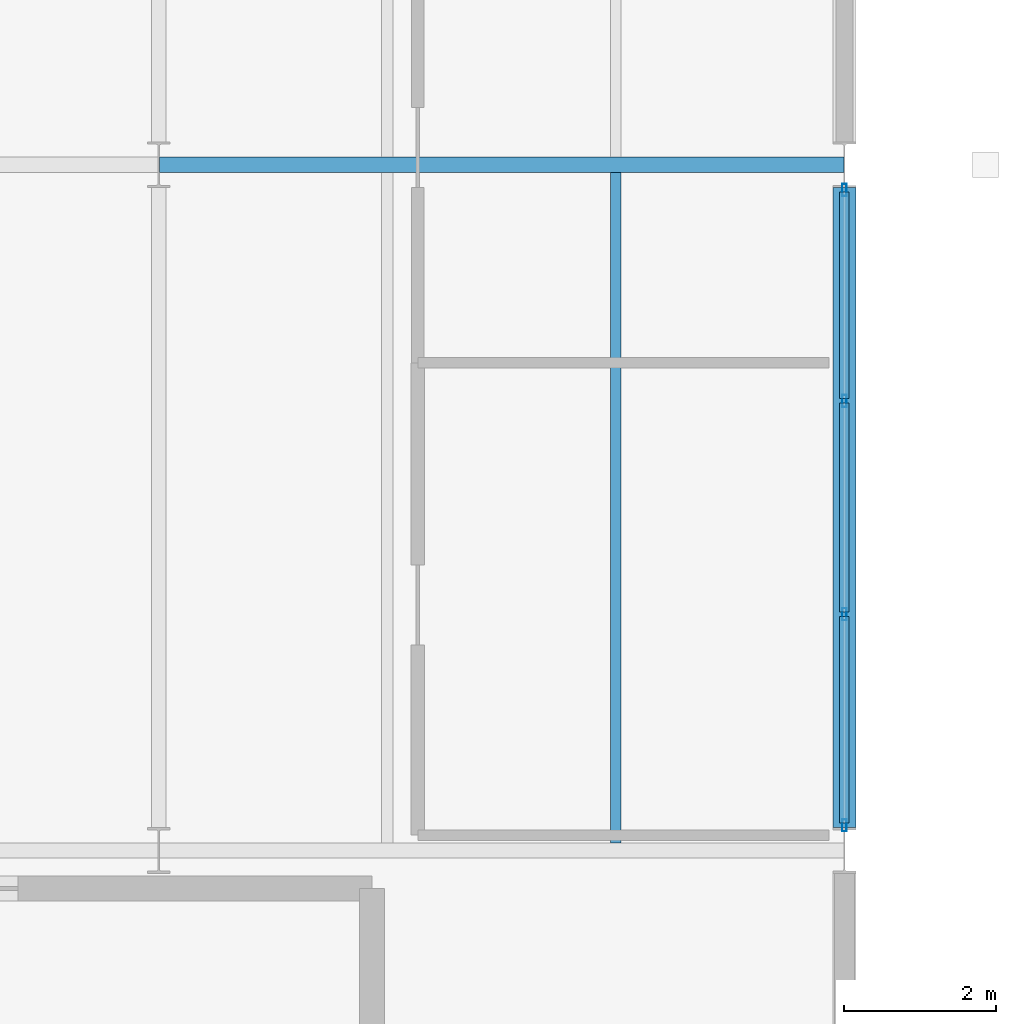
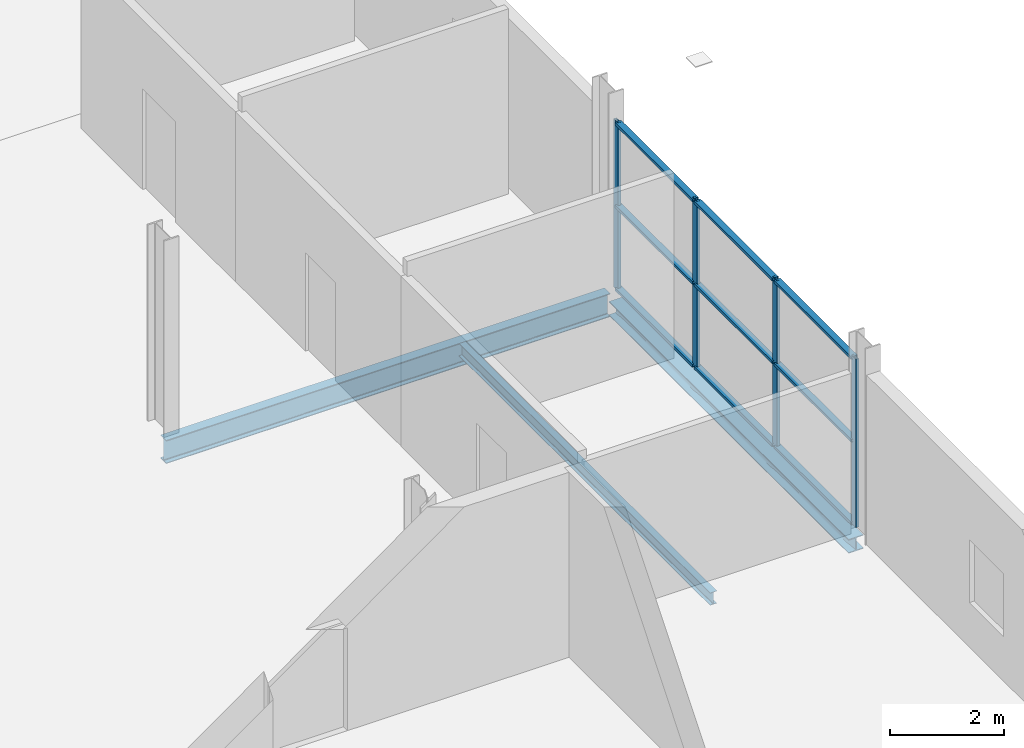
# One storey, part 23 of 44: 13 members, 3 beams, 1 element without a shape of its own.
"""IFC4 building model written with IfcOpenShell, lengths in metres."""

from ifc_helpers import new_model, si_unit, direction, frame, origin, origin_2d, place, context, subcontext, project, spatial, hollow_rectangle, i_section, extrude, material, layer, layer_set, material_profile, profile_set, type_object, element, aggregate, save


model = new_model("IFC4")

# Units and contexts
model_context = context("Model", 3, precision=1e-05, world=origin(), true_north=direction((0.0, 1.0)))
body_context = subcontext(model_context, "Body", "Model", "MODEL_VIEW")
ifc_project = project(units=[si_unit("LENGTHUNIT", "METRE"), si_unit("AREAUNIT", "SQUARE_METRE"), si_unit("VOLUMEUNIT", "CUBIC_METRE"), si_unit("PLANEANGLEUNIT", "RADIAN"), si_unit("MASSUNIT", "GRAM", prefix="KILO")], contexts=[model_context])

# Site, building, storey
site_placement = place(None, origin())
site = spatial("IfcSite", under=ifc_project, at=site_placement, CompositionType="ELEMENT")
building_placement = place(site_placement, origin())
building = spatial("IfcBuilding", under=site, at=building_placement, Name="Deido Ridge Mobility Hub", CompositionType="ELEMENT")
storey_placement = place(building_placement, frame((0.0, 0.0, 25.199951171875)))
storey = spatial("IfcBuildingStorey", under=building, at=storey_placement, Name="L06", CompositionType="ELEMENT", Elevation=25.199951171875)

# Beams
ifc_material_1 = material(Name="Steel S355J2 EN 10025-2", Category="steel")
ifc_material_profile_1 = material_profile(ifc_material_1, i_section(OverallWidth=0.199951171875, OverallDepth=0.5, WebThickness=0.01025390625, FlangeThickness=0.01611328125, FilletRadius=0.02099609375, at=origin_2d()), Name="IPE 500")
ifc_profile_set_1 = profile_set([ifc_material_profile_1], Name="Steel S355J2 EN 10025-2")
beam_type_1 = type_object("IfcBeamType", Name="BM-IPE500", PredefinedType="BEAM", material=ifc_profile_set_1)
beam_1_placement = place(storey_placement, frame((171.0078125, 27.0, -0.489990234375), z_axis=(1.0, 0.0, 0.0), x_axis=(0.0, 1.0, 0.0)))
element("IfcBeam", 1, at=beam_1_placement, inside=storey, type_object=beam_type_1, Name="Floor beam B3", PredefinedType="BEAM", context=body_context, shape_type="SweptSolid", body=[
    extrude(i_section(OverallWidth=0.199951171875, OverallDepth=0.5, WebThickness=0.01025390625, FlangeThickness=0.01611328125, FilletRadius=0.02099609375, at=origin_2d()), origin(), (0.0, 0.0, 1.0), 8.984375),
])
ifc_material_profile_2 = material_profile(ifc_material_1, i_section(OverallWidth=0.135009765625, OverallDepth=0.27001953125, WebThickness=0.006591796875, FlangeThickness=0.01025390625, FilletRadius=0.014892578125, at=origin_2d()), Name="IPE 270")
ifc_profile_set_2 = profile_set([ifc_material_profile_2], Name="Steel S355J2 EN 10025-2")
beam_type_2 = type_object("IfcBeamType", Name="JST-IPE270", PredefinedType="JOIST", material=ifc_profile_set_2)
beam_2_placement = place(storey_placement, frame((177.0, 18.10009765625, -0.375), z_axis=(0.0, 1.0, 0.0), x_axis=(-1.0, 0.0, 0.0)))
element("IfcBeam", 2, at=beam_2_placement, inside=storey, type_object=beam_type_2, Name="Composite joist J4", PredefinedType="JOIST", context=body_context, shape_type="SweptSolid", body=[
    extrude(i_section(OverallWidth=0.135009765625, OverallDepth=0.27001953125, WebThickness=0.006591796875, FlangeThickness=0.01025390625, FilletRadius=0.014892578125, at=origin_2d()), origin(), (0.0, 0.0, 1.0), 8.7998046875),
])

# Curtain wall, members
ifc_material_2 = material(Name="Anodised aluminium EN AW-6063 T6", Category="aluminium")
ifc_layer = layer(ifc_material_2, 0.195068359375, Name="Anodised aluminium EN AW-6063 T6")
ifc_layer_set = layer_set([ifc_layer], Name="Anodised aluminium EN AW-6063 T6")
curtain_wall_type = type_object("IfcCurtainWallType", Name="CW-UF-3", PredefinedType="USERDEFINED", material=ifc_layer_set)
curtain_wall_placement = place(storey_placement, origin())
curtain_wall = element("IfcCurtainWall", 3, at=curtain_wall_placement, inside=storey, type_object=curtain_wall_type, Name="Unitised curtain wall CW3", ObjectType="UNITISED FACADE", PredefinedType="USERDEFINED")
ifc_material_profile_3 = material_profile(ifc_material_2, hollow_rectangle(XDim=0.06005859375, YDim=0.159912109375, WallThickness=0.00390625, at=origin_2d()), Name="RHS 60x160x4")
ifc_profile_set_3 = profile_set([ifc_material_profile_3], Name="Anodised aluminium EN AW-6063 T6")
member_type_1 = type_object("IfcMemberType", Name="MEM-MUL-60X160", PredefinedType="MULLION", material=ifc_profile_set_3)
member_1_placement = place(storey_placement, frame((180.0, 18.330078125, 0.0), z_axis=(0.0, 0.0, 1.0), x_axis=(-1.0, 0.0, 0.0)))
member_1 = element("IfcMember", 4, at=member_1_placement, type_object=member_type_1, Name="CW3 mullion 1", PredefinedType="MULLION", context=body_context, shape_type="SweptSolid", body=[
    extrude(hollow_rectangle(XDim=0.06005859375, YDim=0.159912109375, WallThickness=0.00390625, at=origin_2d()), origin(), (0.0, 0.0, 1.0), 3.60009765625),
])
member_2_placement = place(storey_placement, frame((180.0, 21.10009765625, 0.0), z_axis=(0.0, 0.0, 1.0), x_axis=(-1.0, 0.0, 0.0)))
member_2 = element("IfcMember", 5, at=member_2_placement, type_object=member_type_1, Name="CW3 mullion 2", PredefinedType="MULLION", context=body_context, shape_type="SweptSolid", body=[
    extrude(hollow_rectangle(XDim=0.06005859375, YDim=0.159912109375, WallThickness=0.00390625, at=origin_2d()), origin(), (0.0, 0.0, 1.0), 3.60009765625),
])
member_3_placement = place(storey_placement, frame((180.0, 23.89990234375, 0.0), z_axis=(0.0, 0.0, 1.0), x_axis=(-1.0, 0.0, 0.0)))
member_3 = element("IfcMember", 6, at=member_3_placement, type_object=member_type_1, Name="CW3 mullion 3", PredefinedType="MULLION", context=body_context, shape_type="SweptSolid", body=[
    extrude(hollow_rectangle(XDim=0.06005859375, YDim=0.159912109375, WallThickness=0.00390625, at=origin_2d()), origin(), (0.0, 0.0, 1.0), 3.60009765625),
])
member_4_placement = place(storey_placement, frame((180.0, 26.669921875, 0.0), z_axis=(0.0, 0.0, 1.0), x_axis=(-1.0, 0.0, 0.0)))
member_4 = element("IfcMember", 7, at=member_4_placement, type_object=member_type_1, Name="CW3 mullion 4", PredefinedType="MULLION", context=body_context, shape_type="SweptSolid", body=[
    extrude(hollow_rectangle(XDim=0.06005859375, YDim=0.159912109375, WallThickness=0.00390625, at=origin_2d()), origin(), (0.0, 0.0, 1.0), 3.60009765625),
])
ifc_material_profile_4 = material_profile(ifc_material_2, hollow_rectangle(XDim=0.125, YDim=0.06005859375, WallThickness=0.00390625, at=origin_2d()), Name="RHS 125x60x4")
ifc_profile_set_4 = profile_set([ifc_material_profile_4], Name="Anodised aluminium EN AW-6063 T6")
member_type_2 = type_object("IfcMemberType", Name="MEM-TRN-125X60", PredefinedType="USERDEFINED", material=ifc_profile_set_4)
member_5_placement = place(storey_placement, frame((180.0, 18.360107421875, 0.030029296875), z_axis=(0.0, 1.0, 0.0), x_axis=(-1.0, 0.0, 0.0)))
member_5 = element("IfcMember", 8, at=member_5_placement, type_object=member_type_2, Name="CW3 transom 1.1", ObjectType="TRANSOM", PredefinedType="USERDEFINED", context=body_context, shape_type="SweptSolid", body=[
    extrude(hollow_rectangle(XDim=0.125, YDim=0.06005859375, WallThickness=0.00390625, at=origin_2d()), origin(), (0.0, 0.0, 1.0), 2.7099609375),
])
member_6_placement = place(storey_placement, frame((180.0, 18.360107421875, 1.800048828125), z_axis=(0.0, 1.0, 0.0), x_axis=(-1.0, 0.0, 0.0)))
member_6 = element("IfcMember", 9, at=member_6_placement, type_object=member_type_2, Name="CW3 transom 1.2", ObjectType="TRANSOM", PredefinedType="USERDEFINED", context=body_context, shape_type="SweptSolid", body=[
    extrude(hollow_rectangle(XDim=0.125, YDim=0.06005859375, WallThickness=0.00390625, at=origin_2d()), origin(), (0.0, 0.0, 1.0), 2.7099609375),
])
member_7_placement = place(storey_placement, frame((180.0, 18.360107421875, 3.570068359375), z_axis=(0.0, 1.0, 0.0), x_axis=(-1.0, 0.0, 0.0)))
member_7 = element("IfcMember", 10, at=member_7_placement, type_object=member_type_2, Name="CW3 transom 1.3", ObjectType="TRANSOM", PredefinedType="USERDEFINED", context=body_context, shape_type="SweptSolid", body=[
    extrude(hollow_rectangle(XDim=0.125, YDim=0.06005859375, WallThickness=0.00390625, at=origin_2d()), origin(), (0.0, 0.0, 1.0), 2.7099609375),
])
member_8_placement = place(storey_placement, frame((180.0, 21.1298828125, 0.030029296875), z_axis=(0.0, 1.0, 0.0), x_axis=(-1.0, 0.0, 0.0)))
member_8 = element("IfcMember", 11, at=member_8_placement, type_object=member_type_2, Name="CW3 transom 2.1", ObjectType="TRANSOM", PredefinedType="USERDEFINED", context=body_context, shape_type="SweptSolid", body=[
    extrude(hollow_rectangle(XDim=0.125, YDim=0.06005859375, WallThickness=0.00390625, at=origin_2d()), origin(), (0.0, 0.0, 1.0), 2.740234375),
])
member_9_placement = place(storey_placement, frame((180.0, 21.1298828125, 1.800048828125), z_axis=(0.0, 1.0, 0.0), x_axis=(-1.0, 0.0, 0.0)))
member_9 = element("IfcMember", 12, at=member_9_placement, type_object=member_type_2, Name="CW3 transom 2.2", ObjectType="TRANSOM", PredefinedType="USERDEFINED", context=body_context, shape_type="SweptSolid", body=[
    extrude(hollow_rectangle(XDim=0.125, YDim=0.06005859375, WallThickness=0.00390625, at=origin_2d()), origin(), (0.0, 0.0, 1.0), 2.740234375),
])
member_10_placement = place(storey_placement, frame((180.0, 21.1298828125, 3.570068359375), z_axis=(0.0, 1.0, 0.0), x_axis=(-1.0, 0.0, 0.0)))
member_10 = element("IfcMember", 13, at=member_10_placement, type_object=member_type_2, Name="CW3 transom 2.3", ObjectType="TRANSOM", PredefinedType="USERDEFINED", context=body_context, shape_type="SweptSolid", body=[
    extrude(hollow_rectangle(XDim=0.125, YDim=0.06005859375, WallThickness=0.00390625, at=origin_2d()), origin(), (0.0, 0.0, 1.0), 2.740234375),
])
member_11_placement = place(storey_placement, frame((180.0, 23.929931640625, 0.030029296875), z_axis=(0.0, 1.0, 0.0), x_axis=(-1.0, 0.0, 0.0)))
member_11 = element("IfcMember", 14, at=member_11_placement, type_object=member_type_2, Name="CW3 transom 3.1", ObjectType="TRANSOM", PredefinedType="USERDEFINED", context=body_context, shape_type="SweptSolid", body=[
    extrude(hollow_rectangle(XDim=0.125, YDim=0.06005859375, WallThickness=0.00390625, at=origin_2d()), origin(), (0.0, 0.0, 1.0), 2.7099609375),
])
member_12_placement = place(storey_placement, frame((180.0, 23.929931640625, 1.800048828125), z_axis=(0.0, 1.0, 0.0), x_axis=(-1.0, 0.0, 0.0)))
member_12 = element("IfcMember", 15, at=member_12_placement, type_object=member_type_2, Name="CW3 transom 3.2", ObjectType="TRANSOM", PredefinedType="USERDEFINED", context=body_context, shape_type="SweptSolid", body=[
    extrude(hollow_rectangle(XDim=0.125, YDim=0.06005859375, WallThickness=0.00390625, at=origin_2d()), origin(), (0.0, 0.0, 1.0), 2.7099609375),
])
member_13_placement = place(storey_placement, frame((180.0, 23.929931640625, 3.570068359375), z_axis=(0.0, 1.0, 0.0), x_axis=(-1.0, 0.0, 0.0)))
member_13 = element("IfcMember", 16, at=member_13_placement, type_object=member_type_2, Name="CW3 transom 3.3", ObjectType="TRANSOM", PredefinedType="USERDEFINED", context=body_context, shape_type="SweptSolid", body=[
    extrude(hollow_rectangle(XDim=0.125, YDim=0.06005859375, WallThickness=0.00390625, at=origin_2d()), origin(), (0.0, 0.0, 1.0), 2.7099609375),
])
aggregate(curtain_wall, [member_1, member_2, member_3, member_4, member_5, member_6, member_7, member_8, member_9, member_10, member_11, member_12, member_13])

# Beam
ifc_material_profile_5 = material_profile(ifc_material_1, i_section(OverallWidth=0.300048828125, OverallDepth=0.300048828125, WebThickness=0.010986328125, FlangeThickness=0.01904296875, FilletRadius=0.027099609375, at=origin_2d()), Name="HEB 300")
ifc_profile_set_5 = profile_set([ifc_material_profile_5], Name="Steel S355J2 EN 10025-2")
beam_type_3 = type_object("IfcBeamType", Name="SPD-HEB300", PredefinedType="SPANDREL", material=ifc_profile_set_5)
beam_3_placement = place(storey_placement, frame((180.0, 18.300048828125, -0.389892578125), z_axis=(0.0, 1.0, 0.0), x_axis=(-1.0, 0.0, 0.0)))
element("IfcBeam", 17, at=beam_3_placement, inside=storey, type_object=beam_type_3, Name="Floor beam SP1", PredefinedType="SPANDREL", context=body_context, shape_type="SweptSolid", body=[
    extrude(i_section(OverallWidth=0.300048828125, OverallDepth=0.300048828125, WebThickness=0.010986328125, FlangeThickness=0.01904296875, FilletRadius=0.027099609375, at=origin_2d()), origin(), (0.0, 0.0, 1.0), 8.39990234375),
])

save(model, "model.ifc")
